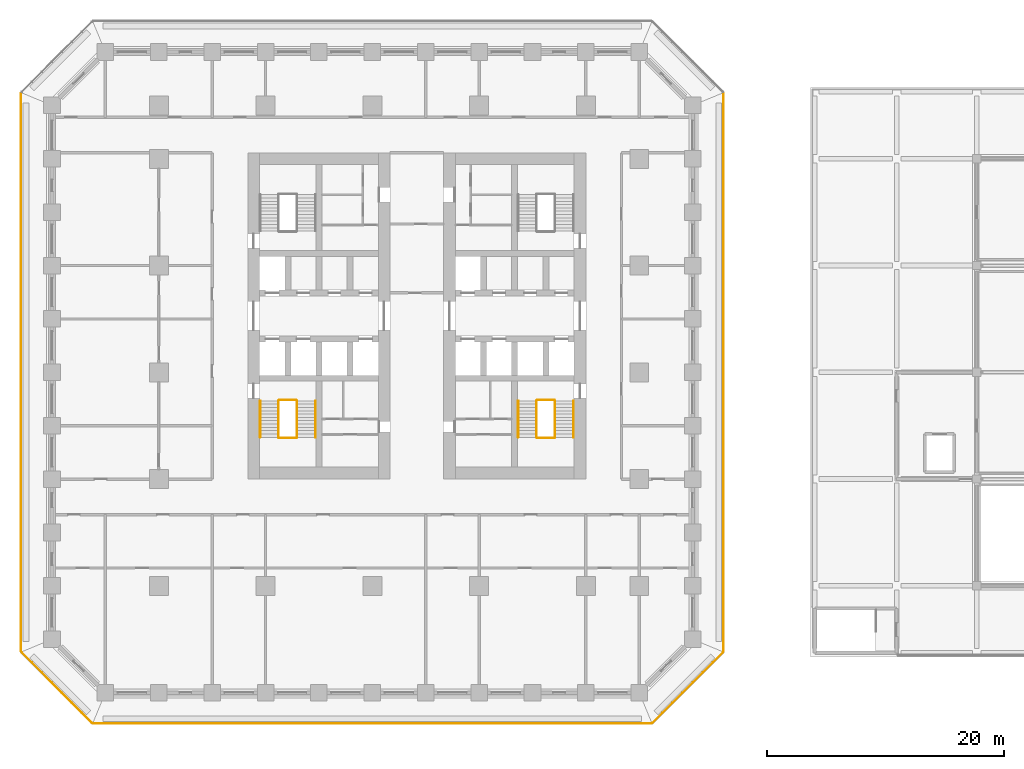
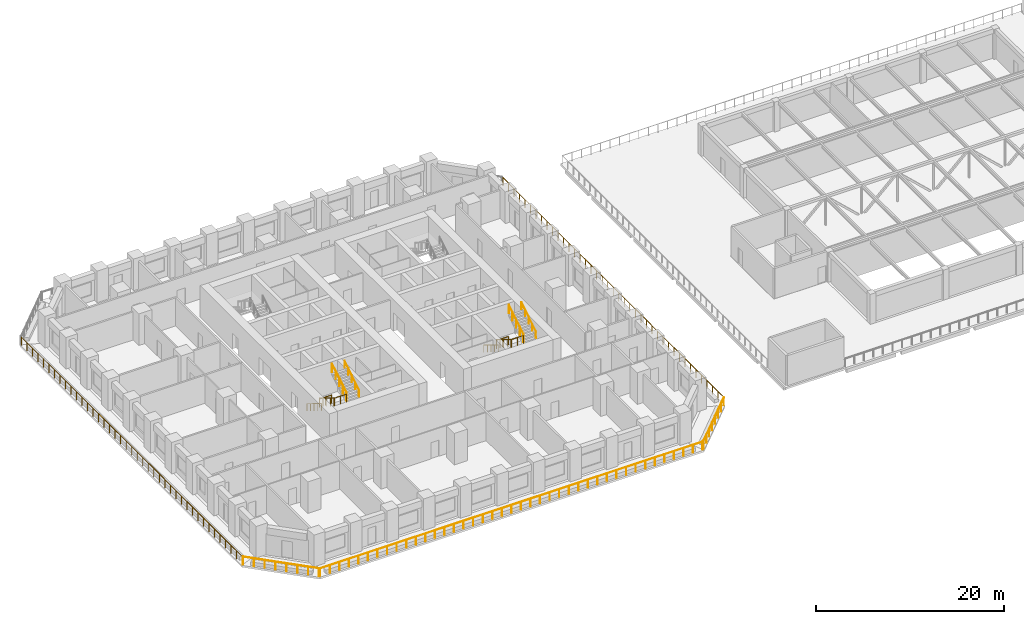
# One storey, part 27 of 30: 17 railings.
"""IFC4 building model written with IfcOpenShell, lengths in metres."""

from ifc_helpers import new_model, si_unit, direction, frame, origin, origin_2d, place, context, subcontext, project, spatial, circle, extrude, material, type_object, element, save


model = new_model("IFC4")

# Units and contexts
model_context = context("Model", 3, precision=1e-05, world=origin(), true_north=direction((0.0, 1.0)))
body_context = subcontext(model_context, "Body", "Model", "MODEL_VIEW")
ifc_project = project(units=[si_unit("LENGTHUNIT", "METRE"), si_unit("AREAUNIT", "SQUARE_METRE"), si_unit("VOLUMEUNIT", "CUBIC_METRE"), si_unit("PLANEANGLEUNIT", "RADIAN"), si_unit("MASSUNIT", "GRAM", prefix="KILO")], contexts=[model_context])

# Site, building, storey
site_placement = place(None, origin())
site = spatial("IfcSite", under=ifc_project, at=site_placement, CompositionType="ELEMENT")
building_placement = place(site_placement, origin())
building = spatial("IfcBuilding", under=site, at=building_placement, Name="Corbel Stack Research Tower", CompositionType="ELEMENT")
storey_placement = place(building_placement, frame((0.0, 0.0, 19.5)))
storey = spatial("IfcBuildingStorey", under=building, at=storey_placement, Name="L04", CompositionType="ELEMENT", Elevation=19.5)

# Railings
ifc_material_1 = material(Name="Steel S355", Category="steel")
railing_type_1 = type_object("IfcRailingType", Name="Stair guard 1100", PredefinedType="GUARDRAIL", material=ifc_material_1)
railing_1_placement = place(storey_placement, frame((-7.89990234375, -2.39990234375, 0.1708984375)))
element("IfcRailing", 1, at=railing_1_placement, inside=storey, type_object=railing_type_1, Name="L04 ST-W1 stair guard 1", PredefinedType="GUARDRAIL", context=body_context, shape_type="SweptSolid", body=[
    extrude(circle(Radius=0.02392578125, at=origin_2d()), frame((0.0, 0.0, 1.076171875), z_axis=(0.0, -0.853666305674, 0.52082035152), x_axis=(1.0, 0.0, 0.0)), (0.0, 0.0, 1.0), 3.608154296875),
    extrude(circle(Radius=0.02099609375, at=origin_2d()), origin(), (0.0, 0.0, 1.0), 1.052001953125),
    extrude(circle(Radius=0.02099609375, at=origin_2d()), frame((0.0, -0.77001953125, 0.4697265625)), (0.0, 0.0, 1.0), 1.052001953125),
    extrude(circle(Radius=0.02099609375, at=origin_2d()), frame((0.0, -1.5400390625, 0.939453125)), (0.0, 0.0, 1.0), 1.052001953125),
    extrude(circle(Radius=0.02099609375, at=origin_2d()), frame((0.0, -2.31005859375, 1.409423828125)), (0.0, 0.0, 1.0), 1.052001953125),
    extrude(circle(Radius=0.02099609375, at=origin_2d()), frame((0.0, -3.080078125, 1.879150390625)), (0.0, 0.0, 1.0), 1.052001953125),
])
railing_2_placement = place(storey_placement, frame((-7.85009765625, -5.530029296875, 2.050048828125)))
element("IfcRailing", 2, at=railing_2_placement, inside=storey, type_object=railing_type_1, Name="L04 ST-W1 stair guard 2", PredefinedType="GUARDRAIL", context=body_context, shape_type="SweptSolid", body=[
    extrude(circle(Radius=0.02392578125, at=origin_2d()), frame((0.0, 0.0, 1.076171875), z_axis=(1.0, 0.0, 0.0), x_axis=(0.0, 1.0, 0.0)), (0.0, 0.0, 1.0), 1.4501953125),
    extrude(circle(Radius=0.02099609375, at=origin_2d()), origin(), (0.0, 0.0, 1.0), 1.052001953125),
    extrude(circle(Radius=0.02099609375, at=origin_2d()), frame((0.72509765625, 0.0, 0.0)), (0.0, 0.0, 1.0), 1.052001953125),
    extrude(circle(Radius=0.02099609375, at=origin_2d()), frame((1.4501953125, 0.0, 0.0)), (0.0, 0.0, 1.0), 1.052001953125),
])
railing_3_placement = place(storey_placement, frame((-6.35009765625, -5.47998046875, 2.220947265625)))
element("IfcRailing", 3, at=railing_3_placement, inside=storey, type_object=railing_type_1, Name="L04 ST-W1 stair guard 3", PredefinedType="GUARDRAIL", context=body_context, shape_type="SweptSolid", body=[
    extrude(circle(Radius=0.02392578125, at=origin_2d()), frame((0.0, 0.0, 1.076171875), z_axis=(0.0, 0.853666305674, 0.52082035152), x_axis=(-1.0, 0.0, 0.0)), (0.0, 0.0, 1.0), 3.608154296875),
    extrude(circle(Radius=0.02099609375, at=origin_2d()), origin(), (0.0, 0.0, 1.0), 1.052001953125),
    extrude(circle(Radius=0.02099609375, at=origin_2d()), frame((0.0, 0.77001953125, 0.4697265625)), (0.0, 0.0, 1.0), 1.052001953125),
    extrude(circle(Radius=0.02099609375, at=origin_2d()), frame((0.0, 1.5400390625, 0.939453125)), (0.0, 0.0, 1.0), 1.052001953125),
    extrude(circle(Radius=0.02099609375, at=origin_2d()), frame((0.0, 2.31005859375, 1.409423828125)), (0.0, 0.0, 1.0), 1.052001953125),
    extrude(circle(Radius=0.02099609375, at=origin_2d()), frame((0.0, 3.080078125, 1.879150390625)), (0.0, 0.0, 1.0), 1.052001953125),
])
railing_4_placement = place(storey_placement, frame((-7.85009765625, -2.35009765625, 0.0)))
element("IfcRailing", 4, at=railing_4_placement, inside=storey, type_object=railing_type_1, Name="L04 ST-W1 stair guard 4", PredefinedType="GUARDRAIL", context=body_context, shape_type="SweptSolid", body=[
    extrude(circle(Radius=0.02392578125, at=origin_2d()), frame((0.0, 0.0, 1.076171875), z_axis=(1.0, 0.0, 0.0), x_axis=(0.0, 1.0, 0.0)), (0.0, 0.0, 1.0), 1.4501953125),
    extrude(circle(Radius=0.02099609375, at=origin_2d()), origin(), (0.0, 0.0, 1.0), 1.052001953125),
    extrude(circle(Radius=0.02099609375, at=origin_2d()), frame((0.72509765625, 0.0, 0.0)), (0.0, 0.0, 1.0), 1.052001953125),
    extrude(circle(Radius=0.02099609375, at=origin_2d()), frame((1.4501953125, 0.0, 0.0)), (0.0, 0.0, 1.0), 1.052001953125),
])
railing_5_placement = place(storey_placement, frame((13.85009765625, -2.39990234375, 0.1708984375)))
element("IfcRailing", 5, at=railing_5_placement, inside=storey, type_object=railing_type_1, Name="L04 ST-E1 stair guard 1", PredefinedType="GUARDRAIL", context=body_context, shape_type="SweptSolid", body=[
    extrude(circle(Radius=0.02392578125, at=origin_2d()), frame((0.0, 0.0, 1.076171875), z_axis=(0.0, -0.853666305674, 0.52082035152), x_axis=(1.0, 0.0, 0.0)), (0.0, 0.0, 1.0), 3.608154296875),
    extrude(circle(Radius=0.02099609375, at=origin_2d()), origin(), (0.0, 0.0, 1.0), 1.052001953125),
    extrude(circle(Radius=0.02099609375, at=origin_2d()), frame((0.0, -0.77001953125, 0.4697265625)), (0.0, 0.0, 1.0), 1.052001953125),
    extrude(circle(Radius=0.02099609375, at=origin_2d()), frame((0.0, -1.5400390625, 0.939453125)), (0.0, 0.0, 1.0), 1.052001953125),
    extrude(circle(Radius=0.02099609375, at=origin_2d()), frame((0.0, -2.31005859375, 1.409423828125)), (0.0, 0.0, 1.0), 1.052001953125),
    extrude(circle(Radius=0.02099609375, at=origin_2d()), frame((0.0, -3.080078125, 1.879150390625)), (0.0, 0.0, 1.0), 1.052001953125),
])
railing_6_placement = place(storey_placement, frame((13.89990234375, -5.530029296875, 2.050048828125)))
element("IfcRailing", 6, at=railing_6_placement, inside=storey, type_object=railing_type_1, Name="L04 ST-E1 stair guard 2", PredefinedType="GUARDRAIL", context=body_context, shape_type="SweptSolid", body=[
    extrude(circle(Radius=0.02392578125, at=origin_2d()), frame((0.0, 0.0, 1.076171875), z_axis=(1.0, 0.0, 0.0), x_axis=(0.0, 1.0, 0.0)), (0.0, 0.0, 1.0), 1.4501953125),
    extrude(circle(Radius=0.02099609375, at=origin_2d()), origin(), (0.0, 0.0, 1.0), 1.052001953125),
    extrude(circle(Radius=0.02099609375, at=origin_2d()), frame((0.72509765625, 0.0, 0.0)), (0.0, 0.0, 1.0), 1.052001953125),
    extrude(circle(Radius=0.02099609375, at=origin_2d()), frame((1.4501953125, 0.0, 0.0)), (0.0, 0.0, 1.0), 1.052001953125),
])
railing_7_placement = place(storey_placement, frame((15.39990234375, -5.47998046875, 2.220947265625)))
element("IfcRailing", 7, at=railing_7_placement, inside=storey, type_object=railing_type_1, Name="L04 ST-E1 stair guard 3", PredefinedType="GUARDRAIL", context=body_context, shape_type="SweptSolid", body=[
    extrude(circle(Radius=0.02392578125, at=origin_2d()), frame((0.0, 0.0, 1.076171875), z_axis=(0.0, 0.853666305674, 0.52082035152), x_axis=(-1.0, 0.0, 0.0)), (0.0, 0.0, 1.0), 3.608154296875),
    extrude(circle(Radius=0.02099609375, at=origin_2d()), origin(), (0.0, 0.0, 1.0), 1.052001953125),
    extrude(circle(Radius=0.02099609375, at=origin_2d()), frame((0.0, 0.77001953125, 0.4697265625)), (0.0, 0.0, 1.0), 1.052001953125),
    extrude(circle(Radius=0.02099609375, at=origin_2d()), frame((0.0, 1.5400390625, 0.939453125)), (0.0, 0.0, 1.0), 1.052001953125),
    extrude(circle(Radius=0.02099609375, at=origin_2d()), frame((0.0, 2.31005859375, 1.409423828125)), (0.0, 0.0, 1.0), 1.052001953125),
    extrude(circle(Radius=0.02099609375, at=origin_2d()), frame((0.0, 3.080078125, 1.879150390625)), (0.0, 0.0, 1.0), 1.052001953125),
])
railing_8_placement = place(storey_placement, frame((13.89990234375, -2.35009765625, 0.0)))
element("IfcRailing", 8, at=railing_8_placement, inside=storey, type_object=railing_type_1, Name="L04 ST-E1 stair guard 4", PredefinedType="GUARDRAIL", context=body_context, shape_type="SweptSolid", body=[
    extrude(circle(Radius=0.02392578125, at=origin_2d()), frame((0.0, 0.0, 1.076171875), z_axis=(1.0, 0.0, 0.0), x_axis=(0.0, 1.0, 0.0)), (0.0, 0.0, 1.0), 1.4501953125),
    extrude(circle(Radius=0.02099609375, at=origin_2d()), origin(), (0.0, 0.0, 1.0), 1.052001953125),
    extrude(circle(Radius=0.02099609375, at=origin_2d()), frame((0.72509765625, 0.0, 0.0)), (0.0, 0.0, 1.0), 1.052001953125),
    extrude(circle(Radius=0.02099609375, at=origin_2d()), frame((1.4501953125, 0.0, 0.0)), (0.0, 0.0, 1.0), 1.052001953125),
])
ifc_material_2 = material(Name="Steel S355", Category="steel")
railing_type_2 = type_object("IfcRailingType", Name="Stair handrail 900", PredefinedType="HANDRAIL", material=ifc_material_2)
railing_9_placement = place(storey_placement, frame((-9.449951171875, -2.39990234375, 0.1708984375)))
element("IfcRailing", 9, at=railing_9_placement, inside=storey, type_object=railing_type_2, Name="L04 ST-W1 stair handrail 1", PredefinedType="HANDRAIL", context=body_context, shape_type="SweptSolid", body=[
    extrude(circle(Radius=0.02392578125, at=origin_2d()), frame((0.0, 0.0, 0.8759765625), z_axis=(0.0, -0.853666305674, 0.52082035152), x_axis=(1.0, 0.0, 0.0)), (0.0, 0.0, 1.0), 3.608154296875),
    extrude(circle(Radius=0.02099609375, at=origin_2d()), origin(), (0.0, 0.0, 1.0), 0.851806640625),
    extrude(circle(Radius=0.02099609375, at=origin_2d()), frame((0.0, -0.77001953125, 0.4697265625)), (0.0, 0.0, 1.0), 0.851806640625),
    extrude(circle(Radius=0.02099609375, at=origin_2d()), frame((0.0, -1.5400390625, 0.939453125)), (0.0, 0.0, 1.0), 0.851806640625),
    extrude(circle(Radius=0.02099609375, at=origin_2d()), frame((0.0, -2.31005859375, 1.409423828125)), (0.0, 0.0, 1.0), 0.851806640625),
    extrude(circle(Radius=0.02099609375, at=origin_2d()), frame((0.0, -3.080078125, 1.879150390625)), (0.0, 0.0, 1.0), 0.851806640625),
])
railing_10_placement = place(storey_placement, frame((-4.800048828125, -5.47998046875, 2.220947265625)))
element("IfcRailing", 10, at=railing_10_placement, inside=storey, type_object=railing_type_2, Name="L04 ST-W1 stair handrail 2", PredefinedType="HANDRAIL", context=body_context, shape_type="SweptSolid", body=[
    extrude(circle(Radius=0.02392578125, at=origin_2d()), frame((0.0, 0.0, 0.8759765625), z_axis=(0.0, 0.853666305674, 0.52082035152), x_axis=(-1.0, 0.0, 0.0)), (0.0, 0.0, 1.0), 3.608154296875),
    extrude(circle(Radius=0.02099609375, at=origin_2d()), origin(), (0.0, 0.0, 1.0), 0.851806640625),
    extrude(circle(Radius=0.02099609375, at=origin_2d()), frame((0.0, 0.77001953125, 0.4697265625)), (0.0, 0.0, 1.0), 0.851806640625),
    extrude(circle(Radius=0.02099609375, at=origin_2d()), frame((0.0, 1.5400390625, 0.939453125)), (0.0, 0.0, 1.0), 0.851806640625),
    extrude(circle(Radius=0.02099609375, at=origin_2d()), frame((0.0, 2.31005859375, 1.409423828125)), (0.0, 0.0, 1.0), 0.851806640625),
    extrude(circle(Radius=0.02099609375, at=origin_2d()), frame((0.0, 3.080078125, 1.879150390625)), (0.0, 0.0, 1.0), 0.851806640625),
])
railing_11_placement = place(storey_placement, frame((12.300048828125, -2.39990234375, 0.1708984375)))
element("IfcRailing", 11, at=railing_11_placement, inside=storey, type_object=railing_type_2, Name="L04 ST-E1 stair handrail 1", PredefinedType="HANDRAIL", context=body_context, shape_type="SweptSolid", body=[
    extrude(circle(Radius=0.02392578125, at=origin_2d()), frame((0.0, 0.0, 0.8759765625), z_axis=(0.0, -0.853666305674, 0.52082035152), x_axis=(1.0, 0.0, 0.0)), (0.0, 0.0, 1.0), 3.608154296875),
    extrude(circle(Radius=0.02099609375, at=origin_2d()), origin(), (0.0, 0.0, 1.0), 0.851806640625),
    extrude(circle(Radius=0.02099609375, at=origin_2d()), frame((0.0, -0.77001953125, 0.4697265625)), (0.0, 0.0, 1.0), 0.851806640625),
    extrude(circle(Radius=0.02099609375, at=origin_2d()), frame((0.0, -1.5400390625, 0.939453125)), (0.0, 0.0, 1.0), 0.851806640625),
    extrude(circle(Radius=0.02099609375, at=origin_2d()), frame((0.0, -2.31005859375, 1.409423828125)), (0.0, 0.0, 1.0), 0.851806640625),
    extrude(circle(Radius=0.02099609375, at=origin_2d()), frame((0.0, -3.080078125, 1.879150390625)), (0.0, 0.0, 1.0), 0.851806640625),
])
railing_12_placement = place(storey_placement, frame((16.949951171875, -5.47998046875, 2.220947265625)))
element("IfcRailing", 12, at=railing_12_placement, inside=storey, type_object=railing_type_2, Name="L04 ST-E1 stair handrail 2", PredefinedType="HANDRAIL", context=body_context, shape_type="SweptSolid", body=[
    extrude(circle(Radius=0.02392578125, at=origin_2d()), frame((0.0, 0.0, 0.8759765625), z_axis=(0.0, 0.853666305674, 0.52082035152), x_axis=(-1.0, 0.0, 0.0)), (0.0, 0.0, 1.0), 3.608154296875),
    extrude(circle(Radius=0.02099609375, at=origin_2d()), origin(), (0.0, 0.0, 1.0), 0.851806640625),
    extrude(circle(Radius=0.02099609375, at=origin_2d()), frame((0.0, 0.77001953125, 0.4697265625)), (0.0, 0.0, 1.0), 0.851806640625),
    extrude(circle(Radius=0.02099609375, at=origin_2d()), frame((0.0, 1.5400390625, 0.939453125)), (0.0, 0.0, 1.0), 0.851806640625),
    extrude(circle(Radius=0.02099609375, at=origin_2d()), frame((0.0, 2.31005859375, 1.409423828125)), (0.0, 0.0, 1.0), 0.851806640625),
    extrude(circle(Radius=0.02099609375, at=origin_2d()), frame((0.0, 3.080078125, 1.879150390625)), (0.0, 0.0, 1.0), 0.851806640625),
])
ifc_material_3 = material(Name="Powder-coated steel guard", Category="steel")
railing_type_3 = type_object("IfcRailingType", Name="Steel and glass guard 1100", PredefinedType="GUARDRAIL", material=ifc_material_3)
railing_13_placement = place(storey_placement, frame((-23.50537109375, -29.60009765625, 0.0)))
element("IfcRailing", 13, at=railing_13_placement, inside=storey, type_object=railing_type_3, Name="Loggia guard L04 S", PredefinedType="GUARDRAIL", context=body_context, shape_type="SweptSolid", body=[
    extrude(circle(Radius=0.02392578125, at=origin_2d()), frame((0.0, 0.0, 1.076171875), z_axis=(1.0, 0.0, 0.0), x_axis=(0.0, 1.0, 0.0)), (0.0, 0.0, 1.0), 47.0107421875),
    extrude(circle(Radius=0.02099609375, at=origin_2d()), origin(), (0.0, 0.0, 1.0), 1.052001953125),
    extrude(circle(Radius=0.02099609375, at=origin_2d()), frame((1.17529296875, 0.0, 0.0)), (0.0, 0.0, 1.0), 1.052001953125),
    extrude(circle(Radius=0.02099609375, at=origin_2d()), frame((2.3505859375, 0.0, 0.0)), (0.0, 0.0, 1.0), 1.052001953125),
    extrude(circle(Radius=0.02099609375, at=origin_2d()), frame((3.52587890625, 0.0, 0.0)), (0.0, 0.0, 1.0), 1.052001953125),
    extrude(circle(Radius=0.02099609375, at=origin_2d()), frame((4.701171875, 0.0, 0.0)), (0.0, 0.0, 1.0), 1.052001953125),
    extrude(circle(Radius=0.02099609375, at=origin_2d()), frame((5.87646484375, 0.0, 0.0)), (0.0, 0.0, 1.0), 1.052001953125),
    extrude(circle(Radius=0.02099609375, at=origin_2d()), frame((7.051513671875, 0.0, 0.0)), (0.0, 0.0, 1.0), 1.052001953125),
    extrude(circle(Radius=0.02099609375, at=origin_2d()), frame((8.226806640625, 0.0, 0.0)), (0.0, 0.0, 1.0), 1.052001953125),
    extrude(circle(Radius=0.02099609375, at=origin_2d()), frame((9.402099609375, 0.0, 0.0)), (0.0, 0.0, 1.0), 1.052001953125),
    extrude(circle(Radius=0.02099609375, at=origin_2d()), frame((10.577392578125, 0.0, 0.0)), (0.0, 0.0, 1.0), 1.052001953125),
    extrude(circle(Radius=0.02099609375, at=origin_2d()), frame((11.752685546875, 0.0, 0.0)), (0.0, 0.0, 1.0), 1.052001953125),
    extrude(circle(Radius=0.02099609375, at=origin_2d()), frame((12.927978515625, 0.0, 0.0)), (0.0, 0.0, 1.0), 1.052001953125),
    extrude(circle(Radius=0.02099609375, at=origin_2d()), frame((14.103271484375, 0.0, 0.0)), (0.0, 0.0, 1.0), 1.052001953125),
    extrude(circle(Radius=0.02099609375, at=origin_2d()), frame((15.278564453125, 0.0, 0.0)), (0.0, 0.0, 1.0), 1.052001953125),
    extrude(circle(Radius=0.02099609375, at=origin_2d()), frame((16.453857421875, 0.0, 0.0)), (0.0, 0.0, 1.0), 1.052001953125),
    extrude(circle(Radius=0.02099609375, at=origin_2d()), frame((17.62890625, 0.0, 0.0)), (0.0, 0.0, 1.0), 1.052001953125),
    extrude(circle(Radius=0.02099609375, at=origin_2d()), frame((18.80419921875, 0.0, 0.0)), (0.0, 0.0, 1.0), 1.052001953125),
    extrude(circle(Radius=0.02099609375, at=origin_2d()), frame((19.9794921875, 0.0, 0.0)), (0.0, 0.0, 1.0), 1.052001953125),
    extrude(circle(Radius=0.02099609375, at=origin_2d()), frame((21.15478515625, 0.0, 0.0)), (0.0, 0.0, 1.0), 1.052001953125),
    extrude(circle(Radius=0.02099609375, at=origin_2d()), frame((22.330078125, 0.0, 0.0)), (0.0, 0.0, 1.0), 1.052001953125),
    extrude(circle(Radius=0.02099609375, at=origin_2d()), frame((23.50537109375, 0.0, 0.0)), (0.0, 0.0, 1.0), 1.052001953125),
    extrude(circle(Radius=0.02099609375, at=origin_2d()), frame((24.6806640625, 0.0, 0.0)), (0.0, 0.0, 1.0), 1.052001953125),
    extrude(circle(Radius=0.02099609375, at=origin_2d()), frame((25.85595703125, 0.0, 0.0)), (0.0, 0.0, 1.0), 1.052001953125),
    extrude(circle(Radius=0.02099609375, at=origin_2d()), frame((27.03125, 0.0, 0.0)), (0.0, 0.0, 1.0), 1.052001953125),
    extrude(circle(Radius=0.02099609375, at=origin_2d()), frame((28.20654296875, 0.0, 0.0)), (0.0, 0.0, 1.0), 1.052001953125),
    extrude(circle(Radius=0.02099609375, at=origin_2d()), frame((29.3818359375, 0.0, 0.0)), (0.0, 0.0, 1.0), 1.052001953125),
    extrude(circle(Radius=0.02099609375, at=origin_2d()), frame((30.556884765625, 0.0, 0.0)), (0.0, 0.0, 1.0), 1.052001953125),
    extrude(circle(Radius=0.02099609375, at=origin_2d()), frame((31.732177734375, 0.0, 0.0)), (0.0, 0.0, 1.0), 1.052001953125),
    extrude(circle(Radius=0.02099609375, at=origin_2d()), frame((32.907470703125, 0.0, 0.0)), (0.0, 0.0, 1.0), 1.052001953125),
    extrude(circle(Radius=0.02099609375, at=origin_2d()), frame((34.082763671875, 0.0, 0.0)), (0.0, 0.0, 1.0), 1.052001953125),
    extrude(circle(Radius=0.02099609375, at=origin_2d()), frame((35.258056640625, 0.0, 0.0)), (0.0, 0.0, 1.0), 1.052001953125),
    extrude(circle(Radius=0.02099609375, at=origin_2d()), frame((36.433349609375, 0.0, 0.0)), (0.0, 0.0, 1.0), 1.052001953125),
    extrude(circle(Radius=0.02099609375, at=origin_2d()), frame((37.608642578125, 0.0, 0.0)), (0.0, 0.0, 1.0), 1.052001953125),
    extrude(circle(Radius=0.02099609375, at=origin_2d()), frame((38.783935546875, 0.0, 0.0)), (0.0, 0.0, 1.0), 1.052001953125),
    extrude(circle(Radius=0.02099609375, at=origin_2d()), frame((39.959228515625, 0.0, 0.0)), (0.0, 0.0, 1.0), 1.052001953125),
    extrude(circle(Radius=0.02099609375, at=origin_2d()), frame((41.13427734375, 0.0, 0.0)), (0.0, 0.0, 1.0), 1.052001953125),
    extrude(circle(Radius=0.02099609375, at=origin_2d()), frame((42.3095703125, 0.0, 0.0)), (0.0, 0.0, 1.0), 1.052001953125),
    extrude(circle(Radius=0.02099609375, at=origin_2d()), frame((43.48486328125, 0.0, 0.0)), (0.0, 0.0, 1.0), 1.052001953125),
    extrude(circle(Radius=0.02099609375, at=origin_2d()), frame((44.66015625, 0.0, 0.0)), (0.0, 0.0, 1.0), 1.052001953125),
    extrude(circle(Radius=0.02099609375, at=origin_2d()), frame((45.83544921875, 0.0, 0.0)), (0.0, 0.0, 1.0), 1.052001953125),
    extrude(circle(Radius=0.02099609375, at=origin_2d()), frame((47.0107421875, 0.0, 0.0)), (0.0, 0.0, 1.0), 1.052001953125),
])
railing_14_placement = place(storey_placement, frame((23.627685546875, -29.54931640625, 0.0)))
element("IfcRailing", 14, at=railing_14_placement, inside=storey, type_object=railing_type_3, Name="Loggia guard L04 SE", PredefinedType="GUARDRAIL", context=body_context, shape_type="SweptSolid", body=[
    extrude(circle(Radius=0.02392578125, at=origin_2d()), frame((0.0, 0.0, 1.076171875), z_axis=(0.707106781187, 0.707106781187, 0.0), x_axis=(-0.707106781187, 0.707106781187, 0.0)), (0.0, 0.0, 1.0), 8.37451171875),
    extrude(circle(Radius=0.02099609375, at=origin_2d()), origin(), (0.0, 0.0, 1.0), 1.052001953125),
    extrude(circle(Radius=0.02099609375, at=origin_2d()), frame((0.845947265625, 0.845947265625, 0.0)), (0.0, 0.0, 1.0), 1.052001953125),
    extrude(circle(Radius=0.02099609375, at=origin_2d()), frame((1.69189453125, 1.69189453125, 0.0)), (0.0, 0.0, 1.0), 1.052001953125),
    extrude(circle(Radius=0.02099609375, at=origin_2d()), frame((2.537841796875, 2.537841796875, 0.0)), (0.0, 0.0, 1.0), 1.052001953125),
    extrude(circle(Radius=0.02099609375, at=origin_2d()), frame((3.3837890625, 3.3837890625, 0.0)), (0.0, 0.0, 1.0), 1.052001953125),
    extrude(circle(Radius=0.02099609375, at=origin_2d()), frame((4.229736328125, 4.229736328125, 0.0)), (0.0, 0.0, 1.0), 1.052001953125),
    extrude(circle(Radius=0.02099609375, at=origin_2d()), frame((5.07568359375, 5.07568359375, 0.0)), (0.0, 0.0, 1.0), 1.052001953125),
    extrude(circle(Radius=0.02099609375, at=origin_2d()), frame((5.921630859375, 5.921630859375, 0.0)), (0.0, 0.0, 1.0), 1.052001953125),
])
railing_15_placement = place(storey_placement, frame((29.60009765625, -23.50537109375, 0.0)))
element("IfcRailing", 15, at=railing_15_placement, inside=storey, type_object=railing_type_3, Name="Loggia guard L04 E", PredefinedType="GUARDRAIL", context=body_context, shape_type="SweptSolid", body=[
    extrude(circle(Radius=0.02392578125, at=origin_2d()), frame((0.0, 0.0, 1.076171875), z_axis=(0.0, 1.0, 0.0), x_axis=(-1.0, 0.0, 0.0)), (0.0, 0.0, 1.0), 47.0107421875),
    extrude(circle(Radius=0.02099609375, at=origin_2d()), origin(), (0.0, 0.0, 1.0), 1.052001953125),
    extrude(circle(Radius=0.02099609375, at=origin_2d()), frame((0.0, 1.17529296875, 0.0)), (0.0, 0.0, 1.0), 1.052001953125),
    extrude(circle(Radius=0.02099609375, at=origin_2d()), frame((0.0, 2.3505859375, 0.0)), (0.0, 0.0, 1.0), 1.052001953125),
    extrude(circle(Radius=0.02099609375, at=origin_2d()), frame((0.0, 3.52587890625, 0.0)), (0.0, 0.0, 1.0), 1.052001953125),
    extrude(circle(Radius=0.02099609375, at=origin_2d()), frame((0.0, 4.701171875, 0.0)), (0.0, 0.0, 1.0), 1.052001953125),
    extrude(circle(Radius=0.02099609375, at=origin_2d()), frame((0.0, 5.87646484375, 0.0)), (0.0, 0.0, 1.0), 1.052001953125),
    extrude(circle(Radius=0.02099609375, at=origin_2d()), frame((0.0, 7.051513671875, 0.0)), (0.0, 0.0, 1.0), 1.052001953125),
    extrude(circle(Radius=0.02099609375, at=origin_2d()), frame((0.0, 8.226806640625, 0.0)), (0.0, 0.0, 1.0), 1.052001953125),
    extrude(circle(Radius=0.02099609375, at=origin_2d()), frame((0.0, 9.402099609375, 0.0)), (0.0, 0.0, 1.0), 1.052001953125),
    extrude(circle(Radius=0.02099609375, at=origin_2d()), frame((0.0, 10.577392578125, 0.0)), (0.0, 0.0, 1.0), 1.052001953125),
    extrude(circle(Radius=0.02099609375, at=origin_2d()), frame((0.0, 11.752685546875, 0.0)), (0.0, 0.0, 1.0), 1.052001953125),
    extrude(circle(Radius=0.02099609375, at=origin_2d()), frame((0.0, 12.927978515625, 0.0)), (0.0, 0.0, 1.0), 1.052001953125),
    extrude(circle(Radius=0.02099609375, at=origin_2d()), frame((0.0, 14.103271484375, 0.0)), (0.0, 0.0, 1.0), 1.052001953125),
    extrude(circle(Radius=0.02099609375, at=origin_2d()), frame((0.0, 15.278564453125, 0.0)), (0.0, 0.0, 1.0), 1.052001953125),
    extrude(circle(Radius=0.02099609375, at=origin_2d()), frame((0.0, 16.453857421875, 0.0)), (0.0, 0.0, 1.0), 1.052001953125),
    extrude(circle(Radius=0.02099609375, at=origin_2d()), frame((0.0, 17.62890625, 0.0)), (0.0, 0.0, 1.0), 1.052001953125),
    extrude(circle(Radius=0.02099609375, at=origin_2d()), frame((0.0, 18.80419921875, 0.0)), (0.0, 0.0, 1.0), 1.052001953125),
    extrude(circle(Radius=0.02099609375, at=origin_2d()), frame((0.0, 19.9794921875, 0.0)), (0.0, 0.0, 1.0), 1.052001953125),
    extrude(circle(Radius=0.02099609375, at=origin_2d()), frame((0.0, 21.15478515625, 0.0)), (0.0, 0.0, 1.0), 1.052001953125),
    extrude(circle(Radius=0.02099609375, at=origin_2d()), frame((0.0, 22.330078125, 0.0)), (0.0, 0.0, 1.0), 1.052001953125),
    extrude(circle(Radius=0.02099609375, at=origin_2d()), frame((0.0, 23.50537109375, 0.0)), (0.0, 0.0, 1.0), 1.052001953125),
    extrude(circle(Radius=0.02099609375, at=origin_2d()), frame((0.0, 24.6806640625, 0.0)), (0.0, 0.0, 1.0), 1.052001953125),
    extrude(circle(Radius=0.02099609375, at=origin_2d()), frame((0.0, 25.85595703125, 0.0)), (0.0, 0.0, 1.0), 1.052001953125),
    extrude(circle(Radius=0.02099609375, at=origin_2d()), frame((0.0, 27.03125, 0.0)), (0.0, 0.0, 1.0), 1.052001953125),
    extrude(circle(Radius=0.02099609375, at=origin_2d()), frame((0.0, 28.20654296875, 0.0)), (0.0, 0.0, 1.0), 1.052001953125),
    extrude(circle(Radius=0.02099609375, at=origin_2d()), frame((0.0, 29.3818359375, 0.0)), (0.0, 0.0, 1.0), 1.052001953125),
    extrude(circle(Radius=0.02099609375, at=origin_2d()), frame((0.0, 30.556884765625, 0.0)), (0.0, 0.0, 1.0), 1.052001953125),
    extrude(circle(Radius=0.02099609375, at=origin_2d()), frame((0.0, 31.732177734375, 0.0)), (0.0, 0.0, 1.0), 1.052001953125),
    extrude(circle(Radius=0.02099609375, at=origin_2d()), frame((0.0, 32.907470703125, 0.0)), (0.0, 0.0, 1.0), 1.052001953125),
    extrude(circle(Radius=0.02099609375, at=origin_2d()), frame((0.0, 34.082763671875, 0.0)), (0.0, 0.0, 1.0), 1.052001953125),
    extrude(circle(Radius=0.02099609375, at=origin_2d()), frame((0.0, 35.258056640625, 0.0)), (0.0, 0.0, 1.0), 1.052001953125),
    extrude(circle(Radius=0.02099609375, at=origin_2d()), frame((0.0, 36.433349609375, 0.0)), (0.0, 0.0, 1.0), 1.052001953125),
    extrude(circle(Radius=0.02099609375, at=origin_2d()), frame((0.0, 37.608642578125, 0.0)), (0.0, 0.0, 1.0), 1.052001953125),
    extrude(circle(Radius=0.02099609375, at=origin_2d()), frame((0.0, 38.783935546875, 0.0)), (0.0, 0.0, 1.0), 1.052001953125),
    extrude(circle(Radius=0.02099609375, at=origin_2d()), frame((0.0, 39.959228515625, 0.0)), (0.0, 0.0, 1.0), 1.052001953125),
    extrude(circle(Radius=0.02099609375, at=origin_2d()), frame((0.0, 41.13427734375, 0.0)), (0.0, 0.0, 1.0), 1.052001953125),
    extrude(circle(Radius=0.02099609375, at=origin_2d()), frame((0.0, 42.3095703125, 0.0)), (0.0, 0.0, 1.0), 1.052001953125),
    extrude(circle(Radius=0.02099609375, at=origin_2d()), frame((0.0, 43.48486328125, 0.0)), (0.0, 0.0, 1.0), 1.052001953125),
    extrude(circle(Radius=0.02099609375, at=origin_2d()), frame((0.0, 44.66015625, 0.0)), (0.0, 0.0, 1.0), 1.052001953125),
    extrude(circle(Radius=0.02099609375, at=origin_2d()), frame((0.0, 45.83544921875, 0.0)), (0.0, 0.0, 1.0), 1.052001953125),
    extrude(circle(Radius=0.02099609375, at=origin_2d()), frame((0.0, 47.0107421875, 0.0)), (0.0, 0.0, 1.0), 1.052001953125),
])
railing_16_placement = place(storey_placement, frame((-29.60009765625, 23.50537109375, 0.0)))
element("IfcRailing", 16, at=railing_16_placement, inside=storey, type_object=railing_type_3, Name="Loggia guard L04 W", PredefinedType="GUARDRAIL", context=body_context, shape_type="SweptSolid", body=[
    extrude(circle(Radius=0.02392578125, at=origin_2d()), frame((0.0, 0.0, 1.076171875), z_axis=(0.0, -1.0, 0.0), x_axis=(1.0, 0.0, 0.0)), (0.0, 0.0, 1.0), 47.0107421875),
    extrude(circle(Radius=0.02099609375, at=origin_2d()), origin(), (0.0, 0.0, 1.0), 1.052001953125),
    extrude(circle(Radius=0.02099609375, at=origin_2d()), frame((0.0, -1.17529296875, 0.0)), (0.0, 0.0, 1.0), 1.052001953125),
    extrude(circle(Radius=0.02099609375, at=origin_2d()), frame((0.0, -2.3505859375, 0.0)), (0.0, 0.0, 1.0), 1.052001953125),
    extrude(circle(Radius=0.02099609375, at=origin_2d()), frame((0.0, -3.52587890625, 0.0)), (0.0, 0.0, 1.0), 1.052001953125),
    extrude(circle(Radius=0.02099609375, at=origin_2d()), frame((0.0, -4.701171875, 0.0)), (0.0, 0.0, 1.0), 1.052001953125),
    extrude(circle(Radius=0.02099609375, at=origin_2d()), frame((0.0, -5.87646484375, 0.0)), (0.0, 0.0, 1.0), 1.052001953125),
    extrude(circle(Radius=0.02099609375, at=origin_2d()), frame((0.0, -7.051513671875, 0.0)), (0.0, 0.0, 1.0), 1.052001953125),
    extrude(circle(Radius=0.02099609375, at=origin_2d()), frame((0.0, -8.226806640625, 0.0)), (0.0, 0.0, 1.0), 1.052001953125),
    extrude(circle(Radius=0.02099609375, at=origin_2d()), frame((0.0, -9.402099609375, 0.0)), (0.0, 0.0, 1.0), 1.052001953125),
    extrude(circle(Radius=0.02099609375, at=origin_2d()), frame((0.0, -10.577392578125, 0.0)), (0.0, 0.0, 1.0), 1.052001953125),
    extrude(circle(Radius=0.02099609375, at=origin_2d()), frame((0.0, -11.752685546875, 0.0)), (0.0, 0.0, 1.0), 1.052001953125),
    extrude(circle(Radius=0.02099609375, at=origin_2d()), frame((0.0, -12.927978515625, 0.0)), (0.0, 0.0, 1.0), 1.052001953125),
    extrude(circle(Radius=0.02099609375, at=origin_2d()), frame((0.0, -14.103271484375, 0.0)), (0.0, 0.0, 1.0), 1.052001953125),
    extrude(circle(Radius=0.02099609375, at=origin_2d()), frame((0.0, -15.278564453125, 0.0)), (0.0, 0.0, 1.0), 1.052001953125),
    extrude(circle(Radius=0.02099609375, at=origin_2d()), frame((0.0, -16.453857421875, 0.0)), (0.0, 0.0, 1.0), 1.052001953125),
    extrude(circle(Radius=0.02099609375, at=origin_2d()), frame((0.0, -17.62890625, 0.0)), (0.0, 0.0, 1.0), 1.052001953125),
    extrude(circle(Radius=0.02099609375, at=origin_2d()), frame((0.0, -18.80419921875, 0.0)), (0.0, 0.0, 1.0), 1.052001953125),
    extrude(circle(Radius=0.02099609375, at=origin_2d()), frame((0.0, -19.9794921875, 0.0)), (0.0, 0.0, 1.0), 1.052001953125),
    extrude(circle(Radius=0.02099609375, at=origin_2d()), frame((0.0, -21.15478515625, 0.0)), (0.0, 0.0, 1.0), 1.052001953125),
    extrude(circle(Radius=0.02099609375, at=origin_2d()), frame((0.0, -22.330078125, 0.0)), (0.0, 0.0, 1.0), 1.052001953125),
    extrude(circle(Radius=0.02099609375, at=origin_2d()), frame((0.0, -23.50537109375, 0.0)), (0.0, 0.0, 1.0), 1.052001953125),
    extrude(circle(Radius=0.02099609375, at=origin_2d()), frame((0.0, -24.6806640625, 0.0)), (0.0, 0.0, 1.0), 1.052001953125),
    extrude(circle(Radius=0.02099609375, at=origin_2d()), frame((0.0, -25.85595703125, 0.0)), (0.0, 0.0, 1.0), 1.052001953125),
    extrude(circle(Radius=0.02099609375, at=origin_2d()), frame((0.0, -27.03125, 0.0)), (0.0, 0.0, 1.0), 1.052001953125),
    extrude(circle(Radius=0.02099609375, at=origin_2d()), frame((0.0, -28.20654296875, 0.0)), (0.0, 0.0, 1.0), 1.052001953125),
    extrude(circle(Radius=0.02099609375, at=origin_2d()), frame((0.0, -29.3818359375, 0.0)), (0.0, 0.0, 1.0), 1.052001953125),
    extrude(circle(Radius=0.02099609375, at=origin_2d()), frame((0.0, -30.556884765625, 0.0)), (0.0, 0.0, 1.0), 1.052001953125),
    extrude(circle(Radius=0.02099609375, at=origin_2d()), frame((0.0, -31.732177734375, 0.0)), (0.0, 0.0, 1.0), 1.052001953125),
    extrude(circle(Radius=0.02099609375, at=origin_2d()), frame((0.0, -32.907470703125, 0.0)), (0.0, 0.0, 1.0), 1.052001953125),
    extrude(circle(Radius=0.02099609375, at=origin_2d()), frame((0.0, -34.082763671875, 0.0)), (0.0, 0.0, 1.0), 1.052001953125),
    extrude(circle(Radius=0.02099609375, at=origin_2d()), frame((0.0, -35.258056640625, 0.0)), (0.0, 0.0, 1.0), 1.052001953125),
    extrude(circle(Radius=0.02099609375, at=origin_2d()), frame((0.0, -36.433349609375, 0.0)), (0.0, 0.0, 1.0), 1.052001953125),
    extrude(circle(Radius=0.02099609375, at=origin_2d()), frame((0.0, -37.608642578125, 0.0)), (0.0, 0.0, 1.0), 1.052001953125),
    extrude(circle(Radius=0.02099609375, at=origin_2d()), frame((0.0, -38.783935546875, 0.0)), (0.0, 0.0, 1.0), 1.052001953125),
    extrude(circle(Radius=0.02099609375, at=origin_2d()), frame((0.0, -39.959228515625, 0.0)), (0.0, 0.0, 1.0), 1.052001953125),
    extrude(circle(Radius=0.02099609375, at=origin_2d()), frame((0.0, -41.13427734375, 0.0)), (0.0, 0.0, 1.0), 1.052001953125),
    extrude(circle(Radius=0.02099609375, at=origin_2d()), frame((0.0, -42.3095703125, 0.0)), (0.0, 0.0, 1.0), 1.052001953125),
    extrude(circle(Radius=0.02099609375, at=origin_2d()), frame((0.0, -43.48486328125, 0.0)), (0.0, 0.0, 1.0), 1.052001953125),
    extrude(circle(Radius=0.02099609375, at=origin_2d()), frame((0.0, -44.66015625, 0.0)), (0.0, 0.0, 1.0), 1.052001953125),
    extrude(circle(Radius=0.02099609375, at=origin_2d()), frame((0.0, -45.83544921875, 0.0)), (0.0, 0.0, 1.0), 1.052001953125),
    extrude(circle(Radius=0.02099609375, at=origin_2d()), frame((0.0, -47.0107421875, 0.0)), (0.0, 0.0, 1.0), 1.052001953125),
])
railing_17_placement = place(storey_placement, frame((-29.54931640625, -23.627685546875, 0.0)))
element("IfcRailing", 17, at=railing_17_placement, inside=storey, type_object=railing_type_3, Name="Loggia guard L04 SW", PredefinedType="GUARDRAIL", context=body_context, shape_type="SweptSolid", body=[
    extrude(circle(Radius=0.02392578125, at=origin_2d()), frame((0.0, 0.0, 1.076171875), z_axis=(0.707106781187, -0.707106781187, 0.0), x_axis=(0.707106781187, 0.707106781187, 0.0)), (0.0, 0.0, 1.0), 8.37451171875),
    extrude(circle(Radius=0.02099609375, at=origin_2d()), origin(), (0.0, 0.0, 1.0), 1.052001953125),
    extrude(circle(Radius=0.02099609375, at=origin_2d()), frame((0.845947265625, -0.845947265625, 0.0)), (0.0, 0.0, 1.0), 1.052001953125),
    extrude(circle(Radius=0.02099609375, at=origin_2d()), frame((1.69189453125, -1.69189453125, 0.0)), (0.0, 0.0, 1.0), 1.052001953125),
    extrude(circle(Radius=0.02099609375, at=origin_2d()), frame((2.537841796875, -2.537841796875, 0.0)), (0.0, 0.0, 1.0), 1.052001953125),
    extrude(circle(Radius=0.02099609375, at=origin_2d()), frame((3.3837890625, -3.3837890625, 0.0)), (0.0, 0.0, 1.0), 1.052001953125),
    extrude(circle(Radius=0.02099609375, at=origin_2d()), frame((4.229736328125, -4.229736328125, 0.0)), (0.0, 0.0, 1.0), 1.052001953125),
    extrude(circle(Radius=0.02099609375, at=origin_2d()), frame((5.07568359375, -5.07568359375, 0.0)), (0.0, 0.0, 1.0), 1.052001953125),
    extrude(circle(Radius=0.02099609375, at=origin_2d()), frame((5.921630859375, -5.921630859375, 0.0)), (0.0, 0.0, 1.0), 1.052001953125),
])

save(model, "model.ifc")
